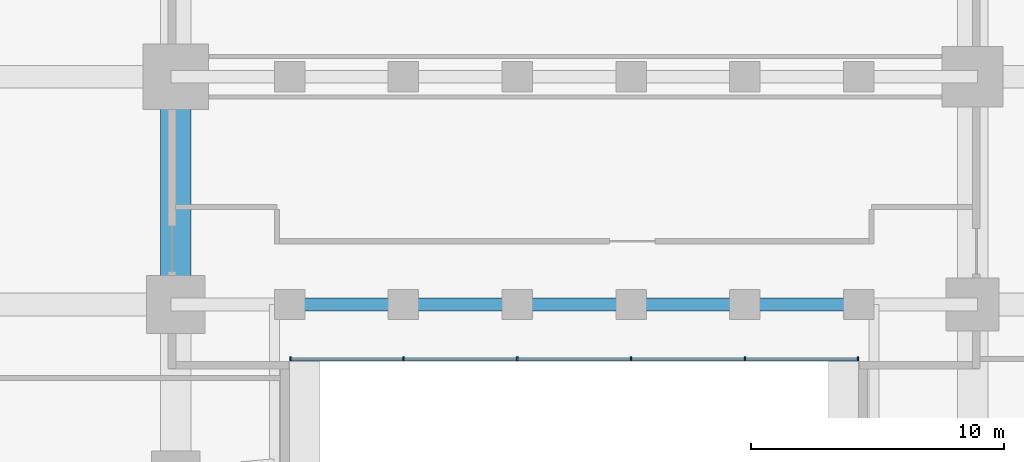
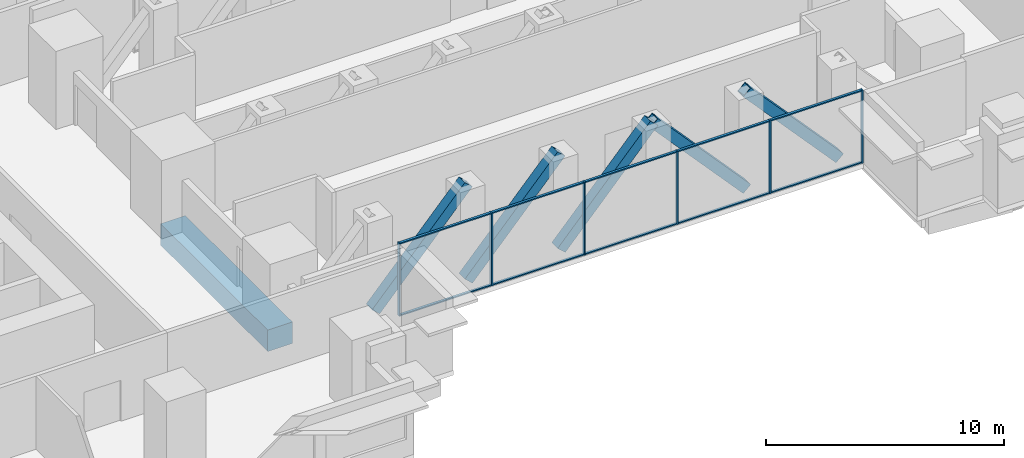
# One storey, part 2 of 15: 21 members, 1 beam, 1 element without a shape of its own.
"""IFC4 building model written with IfcOpenShell, lengths in metres."""

import ifcopenshell
import ifcopenshell.guid

model = None  # the IFC model being written
_history = None  # IfcOwnerHistory: only IFC2X3 demands one
_inside = {}  # id of a spatial element -> (the spatial element, [elements in it])
_under = {}  # id of a project, library or spatial element -> (it, [spatial elements below it])
_declared = {}  # id of a project -> (the project, [libraries it declares])
_typed = {}  # id of a type object -> (the type object, [elements of that type])
_made_of = {}  # id of a material, layer set ... -> (it, [elements and type objects made of it])


def new_model(schema):
    """Start an empty IFC model of exactly this schema.

    Asked for "IFC4X3", IfcOpenShell would pick the latest addendum, in which some entities
    have other attributes; the version numbers below select the first issue.
    IFC2X3 requires an IfcOwnerHistory on every rooted entity: one is made here for all.
    """
    global model, _history
    if schema == "IFC4X3":
        model = ifcopenshell.file(schema_version=(4, 3, 0, 0))
    else:
        model = ifcopenshell.file(schema=schema)
    _inside.clear()
    _under.clear()
    _declared.clear()
    _typed.clear()
    _made_of.clear()
    _history = None
    if model.schema == "IFC2X3":
        org = make("IfcOrganization", Name="unknown")
        user = make(
            "IfcPersonAndOrganization",
            ThePerson=make("IfcPerson", FamilyName="unknown"),
            TheOrganization=org,
        )
        app = make(
            "IfcApplication",
            ApplicationDeveloper=org,
            Version="unknown",
            ApplicationFullName="unknown",
            ApplicationIdentifier="unknown",
        )
        _history = make(
            "IfcOwnerHistory",
            OwningUser=user,
            OwningApplication=app,
            ChangeAction="ADDED",
            CreationDate=0,
        )
    return model


def make(cls, **values):
    """One entity of the class cls with the attributes given. An attribute that is None is left unset."""
    return model.create_entity(
        cls, **{name: value for name, value in values.items() if value is not None}
    )


def rooted(cls, **values):
    """An entity with a GlobalId (a new one), such as an element, a storey or a relation."""
    return make(cls, GlobalId=ifcopenshell.guid.new(), OwnerHistory=_history, **values)


def si_unit(unit_type, name, prefix=None):
    """IfcSIUnit, for example si_unit("LENGTHUNIT", "METRE", prefix="MILLI")."""
    return make("IfcSIUnit", UnitType=unit_type, Prefix=prefix, Name=name)


def assignment(units):
    """IfcUnitAssignment: the units of a project."""
    return None if units is None else make("IfcUnitAssignment", Units=units)


def point(xyz):
    """IfcCartesianPoint."""
    return None if xyz is None else make("IfcCartesianPoint", Coordinates=xyz)


def direction(xyz):
    """IfcDirection."""
    return None if xyz is None else make("IfcDirection", DirectionRatios=xyz)


def frame(location, z_axis=None, x_axis=None):
    """IfcAxis2Placement3D, a coordinate frame: its origin and axes. An axis left out is left unset."""
    return make(
        "IfcAxis2Placement3D",
        Location=point(location),
        Axis=direction(z_axis),
        RefDirection=direction(x_axis),
    )


def frame_2d(location, x_axis=None):
    """IfcAxis2Placement2D, a coordinate frame in the plane: its origin and x axis."""
    return make(
        "IfcAxis2Placement2D", Location=point(location), RefDirection=direction(x_axis)
    )


def origin():
    """The frame at (0, 0, 0) with its axes left unset."""
    return frame((0.0, 0.0, 0.0))


def origin_2d():
    """The frame at (0, 0) in the plane with its x axis left unset."""
    return frame_2d((0.0, 0.0))


def place(relative_to, where):
    """IfcLocalPlacement: puts the frame where relative to a parent placement (None: the world)."""
    return make(
        "IfcLocalPlacement", PlacementRelTo=relative_to, RelativePlacement=where
    )


def context(
    kind, dimensions, precision=None, world=None, true_north=None, identifier=None
):
    """IfcGeometricRepresentationContext, for example the 3D "Model" context."""
    return make(
        "IfcGeometricRepresentationContext",
        ContextIdentifier=identifier,
        ContextType=kind,
        CoordinateSpaceDimension=dimensions,
        Precision=precision,
        WorldCoordinateSystem=world,
        TrueNorth=true_north,
    )


def subcontext(parent, identifier, kind, view, scale=None):
    """IfcGeometricRepresentationSubContext, for example "Body" below "Model"."""
    return make(
        "IfcGeometricRepresentationSubContext",
        ContextIdentifier=identifier,
        ContextType=kind,
        ParentContext=parent,
        TargetScale=scale,
        TargetView=view,
    )


def project(units=None, contexts=None):
    """IfcProject with its units and contexts."""
    return rooted(
        "IfcProject",
        Name="project",
        RepresentationContexts=contexts,
        UnitsInContext=assignment(units),
    )


def spatial(cls, under=None, at=None, **own):
    """A site, building, storey or space (cls), placed at a placement, below another one or the project."""
    s = rooted(cls, ObjectPlacement=at, **own)
    if under is not None:
        _under.setdefault(under.id(), (under, []))[1].append(s)
    return s


def profile(cls, at=None, kind="AREA", **sizes):
    """A parametric profile (cls). Its sizes go by their IFC names, for example OverallWidth=200.0."""
    return make(cls, ProfileType=kind, Position=at, **sizes)


def rectangle(**sizes):
    """IfcRectangleProfileDef."""
    return profile("IfcRectangleProfileDef", **sizes)


def hollow_rectangle(**sizes):
    """IfcRectangleHollowProfileDef."""
    return profile("IfcRectangleHollowProfileDef", **sizes)


def extrude(swept, where, along, depth):
    """IfcExtrudedAreaSolid: the profile swept, set in the frame where, extruded along a direction by depth."""
    return make(
        "IfcExtrudedAreaSolid",
        SweptArea=swept,
        Position=where,
        ExtrudedDirection=direction(along),
        Depth=depth,
    )


def shape(context_of_items, identifier, shape_type, items):
    """IfcShapeRepresentation: the items that make up one representation, for example the "Body"."""
    return make(
        "IfcShapeRepresentation",
        ContextOfItems=context_of_items,
        RepresentationIdentifier=identifier,
        RepresentationType=shape_type,
        Items=items,
    )


def material(Name=None, Category=None):
    """IfcMaterial."""
    return make("IfcMaterial", Name=Name, Category=Category)


def layer(
    of_material, thickness, ventilated=None, Name=None, Category=None, Priority=None
):
    """IfcMaterialLayer: one layer of a wall or slab, of a material (None: an air gap)."""
    return make(
        "IfcMaterialLayer",
        Material=of_material,
        LayerThickness=thickness,
        IsVentilated=ventilated,
        Name=Name,
        Category=Category,
        Priority=Priority,
    )


def layer_set(layers, Name=None):
    """IfcMaterialLayerSet."""
    return make("IfcMaterialLayerSet", MaterialLayers=layers, LayerSetName=Name)


def material_profile(
    of_material, cross_section, Name=None, Category=None, Priority=None
):
    """IfcMaterialProfile: a cross section and its material."""
    return make(
        "IfcMaterialProfile",
        Name=Name,
        Material=of_material,
        Profile=cross_section,
        Priority=Priority,
        Category=Category,
    )


def profile_set(profiles, Name=None, composite=None):
    """IfcMaterialProfileSet."""
    return make(
        "IfcMaterialProfileSet",
        Name=Name,
        MaterialProfiles=profiles,
        CompositeProfile=composite,
    )


def made_of(thing, what):
    """Note that an element or type object is made of a material, layer set ...; save() writes the relation."""
    if what is not None:
        _made_of.setdefault(what.id(), (what, []))[1].append(thing)
    return thing


def type_object(cls, material=None, **own):
    """A type object (cls), such as IfcWallType, which elements share."""
    return made_of(rooted(cls, **own), material)


def element(
    cls,
    number,
    at=None,
    inside=None,
    cuts=None,
    type_object=None,
    material=None,
    context=None,
    identifier="Body",
    shape_type=None,
    held_by="IfcProductDefinitionShape",
    body=None,
    shapes=None,
    **own,
):
    """One element of the class cls, such as IfcWall. Its Tag is "e" and its number.

    at: its placement. inside: the storey or other place that contains it. cuts: it is an
    opening in that element (IfcRelVoidsElement). A single representation is given by context,
    identifier, shape_type and body (its items); several are given by shapes. held_by: the class
    of the entity that holds the representations. save() writes the other relations.
    """
    e = rooted(cls, Tag="e%d" % number, ObjectPlacement=at, **own)
    if body is not None:
        shapes = [shape(context, identifier, shape_type, body)]
    if shapes is not None:
        e.Representation = make(held_by, Representations=shapes)
    if inside is not None:
        _inside.setdefault(inside.id(), (inside, []))[1].append(e)
    if cuts is not None:
        rooted(
            "IfcRelVoidsElement", RelatingBuildingElement=cuts, RelatedOpeningElement=e
        )
    if type_object is not None:
        _typed.setdefault(type_object.id(), (type_object, []))[1].append(e)
    return made_of(e, material)


def aggregate(whole, parts):
    """IfcRelAggregates: a whole, such as a stair, and the parts it consists of."""
    return rooted("IfcRelAggregates", RelatingObject=whole, RelatedObjects=parts)


def save(model, path):
    """Write the relations noted so far, then the file.

    IfcRelAggregates (storeys below a building ...), IfcRelContainedInSpatialStructure (elements
    in a storey), IfcRelDefinesByType, IfcRelAssociatesMaterial and IfcRelDeclares: one each for
    every whole, place, type object, material and project.
    """
    for whole, parts in _under.values():
        aggregate(whole, parts)
    for where, things in _inside.values():
        rooted(
            "IfcRelContainedInSpatialStructure",
            RelatedElements=things,
            RelatingStructure=where,
        )
    for kind, things in _typed.values():
        rooted("IfcRelDefinesByType", RelatedObjects=things, RelatingType=kind)
    for what, things in _made_of.values():
        rooted("IfcRelAssociatesMaterial", RelatedObjects=things, RelatingMaterial=what)
    for by, libraries in _declared.values():
        rooted("IfcRelDeclares", RelatingContext=by, RelatedDefinitions=libraries)
    model.write(path)


model = new_model("IFC4")

# Units and contexts
model_context = context("Model", 3, precision=1e-05, world=origin(), true_north=direction((0.0, 1.0)))
body_context = subcontext(model_context, "Body", "Model", "MODEL_VIEW")
ifc_project = project(units=[si_unit("LENGTHUNIT", "METRE"), si_unit("AREAUNIT", "SQUARE_METRE"), si_unit("VOLUMEUNIT", "CUBIC_METRE"), si_unit("PLANEANGLEUNIT", "RADIAN"), si_unit("MASSUNIT", "GRAM", prefix="KILO")], contexts=[model_context])

# Site, building, storey
site_placement = place(None, origin())
site = spatial("IfcSite", under=ifc_project, at=site_placement, CompositionType="ELEMENT")
building_placement = place(site_placement, origin())
building = spatial("IfcBuilding", under=site, at=building_placement, Name="Namib Vertical Campus", CompositionType="ELEMENT")
storey_placement = place(building_placement, frame((0.0, 0.0, 109.0)))
storey = spatial("IfcBuildingStorey", under=building, at=storey_placement, Name="L25", CompositionType="ELEMENT", Elevation=109.0)

# Members
ifc_material_1 = material(Name="Steel S355JR", Category="steel")
ifc_material_profile_1 = material_profile(ifc_material_1, hollow_rectangle(XDim=0.5, YDim=0.5, WallThickness=0.031982421875, at=origin_2d()))
ifc_profile_set_1 = profile_set([ifc_material_profile_1], Name="Steel S355JR")
member_type_1 = type_object("IfcMemberType", Name="Bridge end brace WB 500x500x32", PredefinedType="BRACE", material=ifc_profile_set_1)
for number, where, z_axis, x_axis, name in (
    (1, (40.5, 11.25, -0.949951171875), (0.672676426978, 0.0, 0.739936770669), (0.0, 1.0, 0.0), "Bridge brace BX1 L25 T1 bay 2"),
    (2, (45.0, 11.25, -0.949951171875), (0.672676426978, 0.0, 0.739936770669), (0.0, 1.0, 0.0), "Bridge brace BX1 L25 T1 bay 3"),
    (3, (49.5, 11.25, -0.949951171875), (0.672676426978, 0.0, 0.739936770669), (0.0, 1.0, 0.0), "Bridge brace BX1 L25 T1 bay 4"),
    (4, (58.5, 11.25, -0.949951171875), (-0.672676426978, 0.0, 0.739936770669), (0.0, -1.0, 0.0), "Bridge brace BX1 L25 T1 bay 5"),
    (5, (63.0, 11.25, -0.949951171875), (-0.672676426978, 0.0, 0.739936770669), (0.0, -1.0, 0.0), "Bridge brace BX1 L25 T1 bay 6"),
):
    element("IfcMember", number, at=place(storey_placement, frame(where, z_axis=z_axis, x_axis=x_axis)), inside=storey, type_object=member_type_1, Name=name, PredefinedType="BRACE", context=body_context, shape_type="SweptSolid", body=[
        extrude(hollow_rectangle(XDim=0.5, YDim=0.5, WallThickness=0.031982421875, at=origin_2d()), origin(), (0.0, 0.0, 1.0), 6.689697265625),
    ])

# Curtain wall, members
ifc_material_2 = material(Name="Black aluminium curtain wall", Category="aluminium")
ifc_layer = layer(ifc_material_2, 0.199951171875)
ifc_layer_set = layer_set([ifc_layer], Name="Bridge curtain wall CW-BR")
curtain_wall_type = type_object("IfcCurtainWallType", Name="Bridge curtain wall CW-BR", PredefinedType="USERDEFINED", material=ifc_layer_set)
curtain_wall_placement = place(storey_placement, origin())
curtain_wall = element("IfcCurtainWall", 6, at=curtain_wall_placement, inside=storey, type_object=curtain_wall_type, Name="Curtain wall CW-BR L25 S", ObjectType="CURTAIN WALL", PredefinedType="USERDEFINED")
ifc_material_3 = material(Name="Black anodised aluminium", Category="aluminium")
ifc_material_profile_2 = material_profile(ifc_material_3, rectangle(XDim=0.06005859375, YDim=0.159912109375, at=origin_2d()))
ifc_profile_set_2 = profile_set([ifc_material_profile_2], Name="Black anodised aluminium")
member_type_2 = type_object("IfcMemberType", Name="Curtain wall mullion 60x160", PredefinedType="MULLION", material=ifc_profile_set_2)
member_1_placement = place(storey_placement, frame((40.530029296875, 9.10009765625, 0.0), z_axis=(0.0, 0.0, 1.0), x_axis=(1.0, 0.0, 0.0)))
member_1 = element("IfcMember", 7, at=member_1_placement, type_object=member_type_2, Name="CW-BR mullion 1", PredefinedType="MULLION", context=body_context, shape_type="SweptSolid", body=[
    extrude(rectangle(XDim=0.06005859375, YDim=0.159912109375, at=origin_2d()), origin(), (0.0, 0.0, 1.0), 3.75),
])
member_2_placement = place(storey_placement, frame((45.0, 9.10009765625, 0.0), z_axis=(0.0, 0.0, 1.0), x_axis=(1.0, 0.0, 0.0)))
member_2 = element("IfcMember", 8, at=member_2_placement, type_object=member_type_2, Name="CW-BR mullion 2", PredefinedType="MULLION", context=body_context, shape_type="SweptSolid", body=[
    extrude(rectangle(XDim=0.06005859375, YDim=0.159912109375, at=origin_2d()), origin(), (0.0, 0.0, 1.0), 3.75),
])
member_3_placement = place(storey_placement, frame((49.5, 9.10009765625, 0.0), z_axis=(0.0, 0.0, 1.0), x_axis=(1.0, 0.0, 0.0)))
member_3 = element("IfcMember", 9, at=member_3_placement, type_object=member_type_2, Name="CW-BR mullion 3", PredefinedType="MULLION", context=body_context, shape_type="SweptSolid", body=[
    extrude(rectangle(XDim=0.06005859375, YDim=0.159912109375, at=origin_2d()), origin(), (0.0, 0.0, 1.0), 3.75),
])
member_4_placement = place(storey_placement, frame((54.0, 9.10009765625, 0.0), z_axis=(0.0, 0.0, 1.0), x_axis=(1.0, 0.0, 0.0)))
member_4 = element("IfcMember", 10, at=member_4_placement, type_object=member_type_2, Name="CW-BR mullion 4", PredefinedType="MULLION", context=body_context, shape_type="SweptSolid", body=[
    extrude(rectangle(XDim=0.06005859375, YDim=0.159912109375, at=origin_2d()), origin(), (0.0, 0.0, 1.0), 3.75),
])
member_5_placement = place(storey_placement, frame((58.5, 9.10009765625, 0.0), z_axis=(0.0, 0.0, 1.0), x_axis=(1.0, 0.0, 0.0)))
member_5 = element("IfcMember", 11, at=member_5_placement, type_object=member_type_2, Name="CW-BR mullion 5", PredefinedType="MULLION", context=body_context, shape_type="SweptSolid", body=[
    extrude(rectangle(XDim=0.06005859375, YDim=0.159912109375, at=origin_2d()), origin(), (0.0, 0.0, 1.0), 3.75),
])
member_6_placement = place(storey_placement, frame((62.969970703125, 9.10009765625, 0.0), z_axis=(0.0, 0.0, 1.0), x_axis=(1.0, 0.0, 0.0)))
member_6 = element("IfcMember", 12, at=member_6_placement, type_object=member_type_2, Name="CW-BR mullion 6", PredefinedType="MULLION", context=body_context, shape_type="SweptSolid", body=[
    extrude(rectangle(XDim=0.06005859375, YDim=0.159912109375, at=origin_2d()), origin(), (0.0, 0.0, 1.0), 3.75),
])
ifc_material_4 = material(Name="Black anodised aluminium", Category="aluminium")
ifc_material_profile_3 = material_profile(ifc_material_4, rectangle(XDim=0.06005859375, YDim=0.1201171875, at=origin_2d()))
ifc_profile_set_3 = profile_set([ifc_material_profile_3], Name="Black anodised aluminium")
member_type_3 = type_object("IfcMemberType", Name="Curtain wall transom 60x120", PredefinedType="USERDEFINED", material=ifc_profile_set_3)
member_7_placement = place(storey_placement, frame((40.56005859375, 9.10009765625, 0.030029296875), z_axis=(1.0, 0.0, 0.0), x_axis=(0.0, 0.0, 1.0)))
member_7 = element("IfcMember", 13, at=member_7_placement, type_object=member_type_3, Name="CW-BR transom 1.1", ObjectType="TRANSOM", PredefinedType="USERDEFINED", context=body_context, shape_type="SweptSolid", body=[
    extrude(rectangle(XDim=0.06005859375, YDim=0.1201171875, at=origin_2d()), origin(), (0.0, 0.0, 1.0), 4.409912109375),
])
member_8_placement = place(storey_placement, frame((40.56005859375, 9.10009765625, 3.719970703125), z_axis=(1.0, 0.0, 0.0), x_axis=(0.0, 0.0, 1.0)))
member_8 = element("IfcMember", 14, at=member_8_placement, type_object=member_type_3, Name="CW-BR transom 1.2", ObjectType="TRANSOM", PredefinedType="USERDEFINED", context=body_context, shape_type="SweptSolid", body=[
    extrude(rectangle(XDim=0.06005859375, YDim=0.1201171875, at=origin_2d()), origin(), (0.0, 0.0, 1.0), 4.409912109375),
])
member_9_placement = place(storey_placement, frame((45.030029296875, 9.10009765625, 0.030029296875), z_axis=(1.0, 0.0, 0.0), x_axis=(0.0, 0.0, 1.0)))
member_9 = element("IfcMember", 15, at=member_9_placement, type_object=member_type_3, Name="CW-BR transom 2.1", ObjectType="TRANSOM", PredefinedType="USERDEFINED", context=body_context, shape_type="SweptSolid", body=[
    extrude(rectangle(XDim=0.06005859375, YDim=0.1201171875, at=origin_2d()), origin(), (0.0, 0.0, 1.0), 4.43994140625),
])
member_10_placement = place(storey_placement, frame((45.030029296875, 9.10009765625, 3.719970703125), z_axis=(1.0, 0.0, 0.0), x_axis=(0.0, 0.0, 1.0)))
member_10 = element("IfcMember", 16, at=member_10_placement, type_object=member_type_3, Name="CW-BR transom 2.2", ObjectType="TRANSOM", PredefinedType="USERDEFINED", context=body_context, shape_type="SweptSolid", body=[
    extrude(rectangle(XDim=0.06005859375, YDim=0.1201171875, at=origin_2d()), origin(), (0.0, 0.0, 1.0), 4.43994140625),
])
member_11_placement = place(storey_placement, frame((49.530029296875, 9.10009765625, 0.030029296875), z_axis=(1.0, 0.0, 0.0), x_axis=(0.0, 0.0, 1.0)))
member_11 = element("IfcMember", 17, at=member_11_placement, type_object=member_type_3, Name="CW-BR transom 3.1", ObjectType="TRANSOM", PredefinedType="USERDEFINED", context=body_context, shape_type="SweptSolid", body=[
    extrude(rectangle(XDim=0.06005859375, YDim=0.1201171875, at=origin_2d()), origin(), (0.0, 0.0, 1.0), 4.43994140625),
])
member_12_placement = place(storey_placement, frame((49.530029296875, 9.10009765625, 3.719970703125), z_axis=(1.0, 0.0, 0.0), x_axis=(0.0, 0.0, 1.0)))
member_12 = element("IfcMember", 18, at=member_12_placement, type_object=member_type_3, Name="CW-BR transom 3.2", ObjectType="TRANSOM", PredefinedType="USERDEFINED", context=body_context, shape_type="SweptSolid", body=[
    extrude(rectangle(XDim=0.06005859375, YDim=0.1201171875, at=origin_2d()), origin(), (0.0, 0.0, 1.0), 4.43994140625),
])
member_13_placement = place(storey_placement, frame((54.030029296875, 9.10009765625, 0.030029296875), z_axis=(1.0, 0.0, 0.0), x_axis=(0.0, 0.0, 1.0)))
member_13 = element("IfcMember", 19, at=member_13_placement, type_object=member_type_3, Name="CW-BR transom 4.1", ObjectType="TRANSOM", PredefinedType="USERDEFINED", context=body_context, shape_type="SweptSolid", body=[
    extrude(rectangle(XDim=0.06005859375, YDim=0.1201171875, at=origin_2d()), origin(), (0.0, 0.0, 1.0), 4.43994140625),
])
member_14_placement = place(storey_placement, frame((54.030029296875, 9.10009765625, 3.719970703125), z_axis=(1.0, 0.0, 0.0), x_axis=(0.0, 0.0, 1.0)))
member_14 = element("IfcMember", 20, at=member_14_placement, type_object=member_type_3, Name="CW-BR transom 4.2", ObjectType="TRANSOM", PredefinedType="USERDEFINED", context=body_context, shape_type="SweptSolid", body=[
    extrude(rectangle(XDim=0.06005859375, YDim=0.1201171875, at=origin_2d()), origin(), (0.0, 0.0, 1.0), 4.43994140625),
])
member_15_placement = place(storey_placement, frame((58.530029296875, 9.10009765625, 0.030029296875), z_axis=(1.0, 0.0, 0.0), x_axis=(0.0, 0.0, 1.0)))
member_15 = element("IfcMember", 21, at=member_15_placement, type_object=member_type_3, Name="CW-BR transom 5.1", ObjectType="TRANSOM", PredefinedType="USERDEFINED", context=body_context, shape_type="SweptSolid", body=[
    extrude(rectangle(XDim=0.06005859375, YDim=0.1201171875, at=origin_2d()), origin(), (0.0, 0.0, 1.0), 4.409912109375),
])
member_16_placement = place(storey_placement, frame((58.530029296875, 9.10009765625, 3.719970703125), z_axis=(1.0, 0.0, 0.0), x_axis=(0.0, 0.0, 1.0)))
member_16 = element("IfcMember", 22, at=member_16_placement, type_object=member_type_3, Name="CW-BR transom 5.2", ObjectType="TRANSOM", PredefinedType="USERDEFINED", context=body_context, shape_type="SweptSolid", body=[
    extrude(rectangle(XDim=0.06005859375, YDim=0.1201171875, at=origin_2d()), origin(), (0.0, 0.0, 1.0), 4.409912109375),
])
aggregate(curtain_wall, [member_1, member_2, member_3, member_4, member_5, member_6, member_7, member_8, member_9, member_10, member_11, member_12, member_13, member_14, member_15, member_16])

# Beam
ifc_material_5 = material(Name="Concrete C40/50", Category="concrete")
ifc_material_profile_4 = material_profile(ifc_material_5, rectangle(XDim=1.199951171875, YDim=1.10009765625, at=origin_2d()))
ifc_profile_set_4 = profile_set([ifc_material_profile_4], Name="Concrete C40/50")
beam_type = type_object("IfcBeamType", Name="Face ring beam RC 1200x1100", PredefinedType="BEAM", material=ifc_profile_set_4)
beam_placement = place(storey_placement, frame((36.0, 11.25, -0.800048828125), z_axis=(0.0, 1.0, 0.0), x_axis=(-1.0, 0.0, 0.0)))
element("IfcBeam", 23, at=beam_placement, inside=storey, type_object=beam_type, Name="Beam B11 L25", PredefinedType="BEAM", context=body_context, shape_type="SweptSolid", body=[
    extrude(rectangle(XDim=1.199951171875, YDim=1.10009765625, at=origin_2d()), origin(), (0.0, 0.0, 1.0), 9.0),
])

save(model, "model.ifc")
